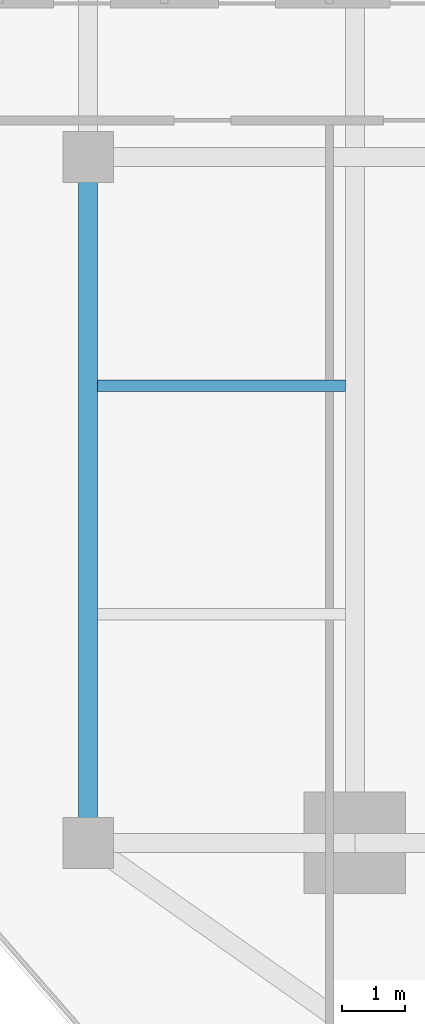
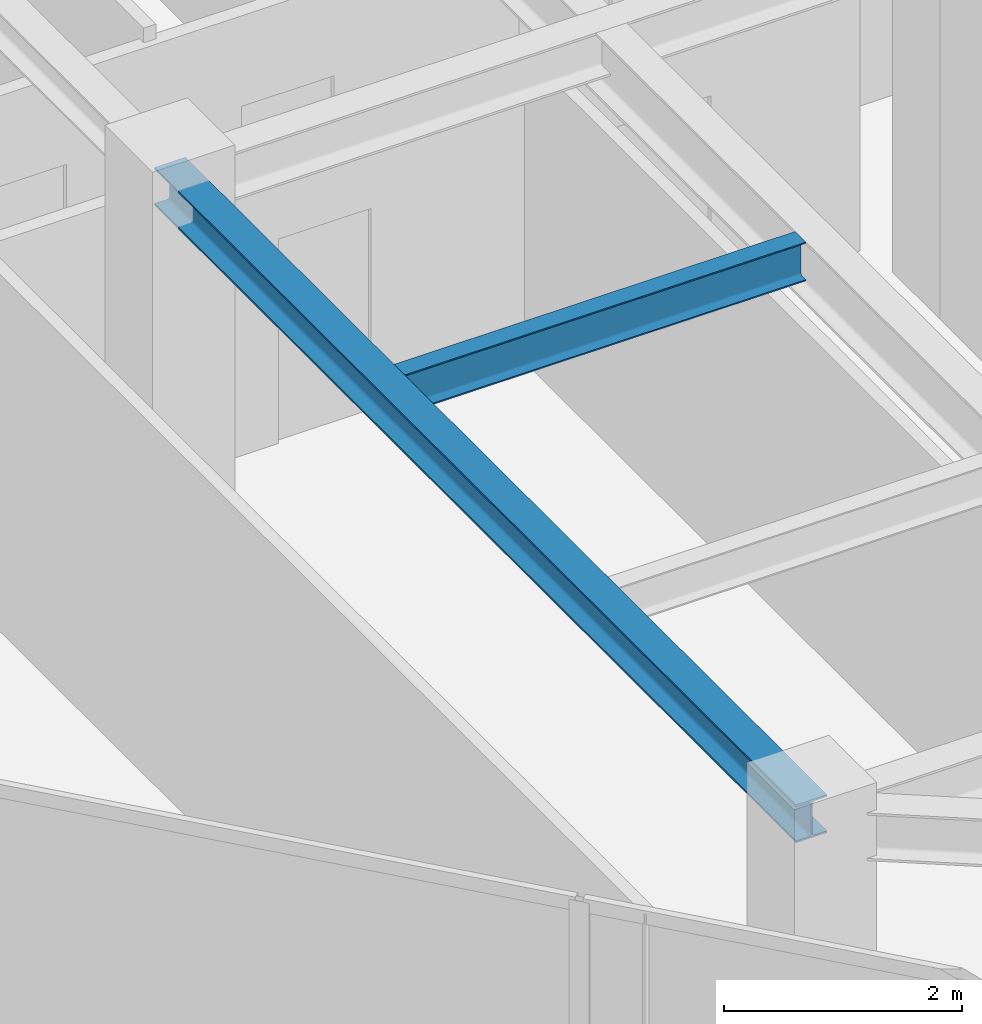
# One storey, part 6 of 24: 2 beams.
"""IFC4 building model written with IfcOpenShell, lengths in metres."""

from ifc_helpers import new_model, si_unit, direction, frame, origin, origin_2d, place, context, subcontext, project, spatial, i_section, extrude, source, transform, mapped, material, material_profile, profile_set, type_object, type_shapes, element, save


model = new_model("IFC4")

# Units and contexts
model_context = context("Model", 3, precision=1e-05, world=origin(), true_north=direction((0.0, 1.0)))
body_context = subcontext(model_context, "Body", "Model", "MODEL_VIEW")
ifc_project = project(units=[si_unit("LENGTHUNIT", "METRE"), si_unit("AREAUNIT", "SQUARE_METRE"), si_unit("VOLUMEUNIT", "CUBIC_METRE"), si_unit("PLANEANGLEUNIT", "RADIAN"), si_unit("MASSUNIT", "GRAM", prefix="KILO")], contexts=[model_context])

# Site, building, storey
site_placement = place(None, origin())
site = spatial("IfcSite", under=ifc_project, at=site_placement, CompositionType="ELEMENT")
building_placement = place(site_placement, origin())
building = spatial("IfcBuilding", under=site, at=building_placement, Name="Krantzveldt Concourse Tower", CompositionType="ELEMENT")
storey_placement = place(building_placement, frame((0.0, 0.0, 254.699951171875)))
storey = spatial("IfcBuildingStorey", under=building, at=storey_placement, Name="L62", CompositionType="ELEMENT", Elevation=254.699951171875)

# Beams
ifc_material = material(Name="Steel S355JR", Category="steel")
ifc_material_profile_1 = material_profile(ifc_material, i_section(OverallWidth=0.300048828125, OverallDepth=0.389892578125, WebThickness=0.010986328125, FlangeThickness=0.01904296875, FilletRadius=0.027099609375, at=origin_2d()), Name="Steel S355JR", Category="steel")
ifc_profile_set_1 = profile_set([ifc_material_profile_1], Name="Steel S355JR - HEA 400")
beam_type_1 = type_object("IfcBeamType", Name="BM-SP-HEA400", PredefinedType="SPANDREL", material=ifc_profile_set_1)
shared_shape_1 = source(origin(), body_context, "Body", "SweptSolid", [
    extrude(i_section(OverallWidth=0.300048828125, OverallDepth=0.389892578125, WebThickness=0.010986328125, FlangeThickness=0.01904296875, FilletRadius=0.027099609375, at=origin_2d()), origin(), (0.0, 0.0, 1.0), 10.800048828125),
])
type_shapes(beam_type_1, [shared_shape_1])
beam_1_placement = place(storey_placement, frame((21.0, 15.89990234375, 3.47509765625), z_axis=(0.0, 1.0, 0.0), x_axis=(-1.0, 0.0, 0.0)))
element("IfcBeam", 1, at=beam_1_placement, inside=storey, type_object=beam_type_1, Name="L62 Tower Girder SP-R01", PredefinedType="SPANDREL", context=body_context, shape_type="MappedRepresentation", body=[
    mapped(shared_shape_1, transform((0.0, 0.0, 0.0), x_axis=(1.0, 0.0, 0.0), y_axis=(0.0, 1.0, 0.0), z_axis=(0.0, 0.0, 1.0), scale=1.0)),
])
ifc_material_profile_2 = material_profile(ifc_material, i_section(OverallWidth=0.179931640625, OverallDepth=0.39990234375, WebThickness=0.008544921875, FlangeThickness=0.013427734375, FilletRadius=0.02099609375, at=origin_2d()), Name="Steel S355JR", Category="steel")
ifc_profile_set_2 = profile_set([ifc_material_profile_2], Name="Steel S355JR - IPE 400")
beam_type_2 = type_object("IfcBeamType", Name="BM-J-IPE400", PredefinedType="JOIST", material=ifc_profile_set_2)
shared_shape_2 = source(origin(), body_context, "Body", "SweptSolid", [
    extrude(i_section(OverallWidth=0.179931640625, OverallDepth=0.39990234375, WebThickness=0.008544921875, FlangeThickness=0.013427734375, FilletRadius=0.02099609375, at=origin_2d()), origin(), (0.0, 0.0, 1.0), 3.900146484375),
])
type_shapes(beam_type_2, [shared_shape_2])
beam_2_placement = place(storey_placement, frame((21.14990234375, 23.10009765625, 3.469970703125), z_axis=(1.0, 0.0, 0.0), x_axis=(0.0, 1.0, 0.0)))
element("IfcBeam", 2, at=beam_2_placement, inside=storey, type_object=beam_type_2, Name="L62 Secondary Floor Joist JW-2", PredefinedType="JOIST", context=body_context, shape_type="MappedRepresentation", body=[
    mapped(shared_shape_2, transform((0.0, 0.0, 0.0), x_axis=(1.0, 0.0, 0.0), y_axis=(0.0, 1.0, 0.0), z_axis=(0.0, 0.0, 1.0), scale=1.0)),
])

save(model, "model.ifc")
